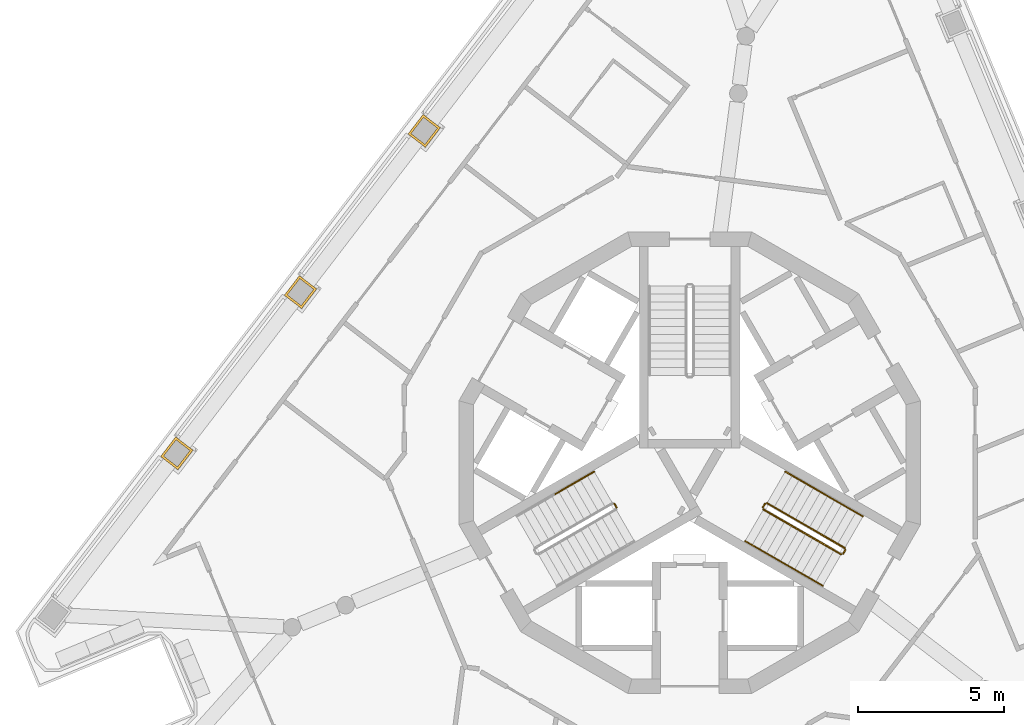
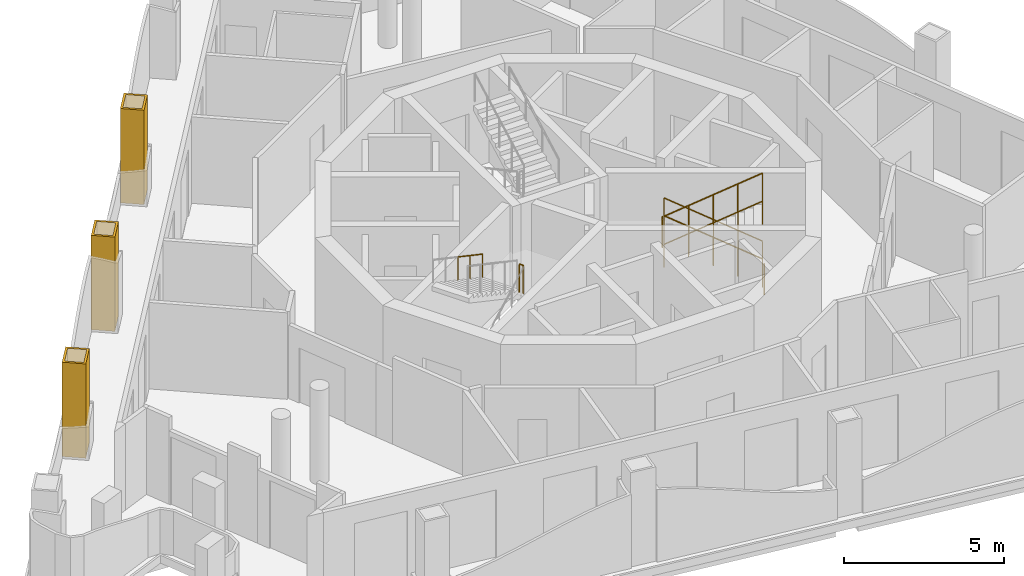
# One storey, part 8 of 12: 10 railings, 3 coverings.
"""IFC4 building model written with IfcOpenShell, lengths in metres."""

from ifc_helpers import new_model, si_unit, direction, frame, origin, origin_2d, place, context, subcontext, project, spatial, polyline, circle, outline, extrude, material, layer, layer_set, type_object, element, save


model = new_model("IFC4")

# Units and contexts
model_context = context("Model", 3, precision=1e-05, world=origin(), true_north=direction((0.0, 1.0)))
body_context = subcontext(model_context, "Body", "Model", "MODEL_VIEW")
ifc_project = project(units=[si_unit("LENGTHUNIT", "METRE"), si_unit("AREAUNIT", "SQUARE_METRE"), si_unit("VOLUMEUNIT", "CUBIC_METRE"), si_unit("PLANEANGLEUNIT", "RADIAN"), si_unit("MASSUNIT", "GRAM", prefix="KILO")], contexts=[model_context])

# Site, building, storey
site_placement = place(None, origin())
site = spatial("IfcSite", under=ifc_project, at=site_placement, CompositionType="ELEMENT")
building_placement = place(site_placement, origin())
building = spatial("IfcBuilding", under=site, at=building_placement, Name="Trine Commons Tower", CompositionType="ELEMENT")
storey_placement = place(building_placement, frame((0.0, 0.0, 289.800048828125)))
storey = spatial("IfcBuildingStorey", under=building, at=storey_placement, Name="L76", CompositionType="ELEMENT", Elevation=289.800048828125)

# Coverings
ifc_material_1 = material(Name="Limestone, honed", Category="masonry")
ifc_layer = layer(ifc_material_1, 0.074951171875)
ifc_layer_set = layer_set([ifc_layer], Name="Limestone, honed")
covering_type = type_object("IfcCoveringType", Name="Limestone column cladding 75", PredefinedType="CLADDING", material=ifc_layer_set)
covering_1_placement = place(storey_placement, origin())
element("IfcCovering", 1, at=covering_1_placement, inside=storey, type_object=covering_type, Name="Limestone pier cladding 8-08", PredefinedType="CLADDING", context=body_context, shape_type="SweptSolid", body=[
    extrude(outline(polyline([(62.95751953125, 62.929443359375), (62.362548828125, 63.385986328125), (61.84521484375, 62.711669921875), (62.440185546875, 62.2548828125), (62.95751953125, 62.929443359375)]), holes=[polyline([(62.8525390625, 62.91552734375), (62.37646484375, 63.28076171875), (61.9501953125, 62.7255859375), (62.42626953125, 62.360107421875), (62.8525390625, 62.91552734375)])]), origin(), (0.0, 0.0, 1.0), 3.599853515625),
])
covering_2_placement = place(storey_placement, origin())
element("IfcCovering", 2, at=covering_2_placement, inside=storey, type_object=covering_type, Name="Limestone pier cladding 8-09", PredefinedType="CLADDING", context=body_context, shape_type="SweptSolid", body=[
    extrude(outline(polyline([(67.202392578125, 68.461181640625), (66.607421875, 68.91796875), (66.08984375, 68.243408203125), (66.684814453125, 67.786865234375), (67.202392578125, 68.461181640625)]), holes=[polyline([(67.09716796875, 68.447509765625), (66.62109375, 68.812744140625), (66.195068359375, 68.25732421875), (66.6708984375, 67.89208984375), (67.09716796875, 68.447509765625)])]), origin(), (0.0, 0.0, 1.0), 3.599853515625),
])
covering_3_placement = place(storey_placement, origin())
element("IfcCovering", 3, at=covering_3_placement, inside=storey, type_object=covering_type, Name="Limestone pier cladding 8-10", PredefinedType="CLADDING", context=body_context, shape_type="SweptSolid", body=[
    extrude(outline(polyline([(71.447021484375, 73.9931640625), (70.85205078125, 74.44970703125), (70.334716796875, 73.775390625), (70.9296875, 73.318603515625), (71.447021484375, 73.9931640625)]), holes=[polyline([(71.341796875, 73.979248046875), (70.865966796875, 74.344482421875), (70.439697265625, 73.789306640625), (70.915771484375, 73.423828125), (71.341796875, 73.979248046875)])]), origin(), (0.0, 0.0, 1.0), 3.599853515625),
])

# Railings
ifc_material_2 = material(Name="Stainless steel balustrade", Category="steel")
railing_type_1 = type_object("IfcRailingType", Name="Stair guard, steel balustrade 1100", PredefinedType="GUARDRAIL", material=ifc_material_2)
railing_1_placement = place(storey_placement, frame((77.490966796875, 60.96484375, 1.800048828125)))
element("IfcRailing", 4, at=railing_1_placement, inside=storey, type_object=railing_type_1, Name="L76 ST2D stair guard 2", PredefinedType="GUARDRAIL", context=body_context, shape_type="SweptSolid", body=[
    extrude(circle(Radius=0.02392578125, at=origin_2d()), frame((0.0, 0.0, 1.076171875), z_axis=(-0.501036270542, 0.865426285481, 0.0), x_axis=(-0.865426285481, -0.501036270542, 0.0)), (0.0, 0.0, 1.0), 0.150146484375),
    extrude(circle(Radius=0.02099609375, at=origin_2d()), origin(), (0.0, 0.0, 1.0), 1.052001953125),
    extrude(circle(Radius=0.02099609375, at=origin_2d()), frame((-0.0751953125, 0.1298828125, 0.0)), (0.0, 0.0, 1.0), 1.052001953125),
])
railing_2_placement = place(storey_placement, frame((85.31982421875, 59.572998046875, 0.14990234375)))
element("IfcRailing", 5, at=railing_2_placement, inside=storey, type_object=railing_type_1, Name="L76 ST3D stair guard 1", PredefinedType="GUARDRAIL", context=body_context, shape_type="SweptSolid", body=[
    extrude(circle(Radius=0.02392578125, at=origin_2d()), frame((0.0, 0.0, 1.076171875), z_axis=(-0.763379768245, 0.440728498818, 0.472239049384), x_axis=(-0.499992328818, -0.866029832698, 0.0)), (0.0, 0.0, 1.0), 3.494384765625),
    extrude(circle(Radius=0.02099609375, at=origin_2d()), origin(), (0.0, 0.0, 1.0), 1.052001953125),
    extrude(circle(Radius=0.02099609375, at=origin_2d()), frame((-0.6669921875, 0.385009765625, 0.41259765625)), (0.0, 0.0, 1.0), 1.052001953125),
    extrude(circle(Radius=0.02099609375, at=origin_2d()), frame((-1.333740234375, 0.77001953125, 0.8251953125)), (0.0, 0.0, 1.0), 1.052001953125),
    extrude(circle(Radius=0.02099609375, at=origin_2d()), frame((-2.00048828125, 1.155029296875, 1.237548828125)), (0.0, 0.0, 1.0), 1.052001953125),
    extrude(circle(Radius=0.02099609375, at=origin_2d()), frame((-2.66748046875, 1.5400390625, 1.650146484375)), (0.0, 0.0, 1.0), 1.052001953125),
])
railing_3_placement = place(storey_placement, frame((82.584228515625, 61.0947265625, 1.800048828125)))
element("IfcRailing", 6, at=railing_3_placement, inside=storey, type_object=railing_type_1, Name="L76 ST3D stair guard 2", PredefinedType="GUARDRAIL", context=body_context, shape_type="SweptSolid", body=[
    extrude(circle(Radius=0.02392578125, at=origin_2d()), frame((0.0, 0.0, 1.076171875), z_axis=(-0.501036270542, -0.865426285481, 0.0), x_axis=(0.865426285481, -0.501036270542, 0.0)), (0.0, 0.0, 1.0), 0.150146484375),
    extrude(circle(Radius=0.02099609375, at=origin_2d()), origin(), (0.0, 0.0, 1.0), 1.052001953125),
    extrude(circle(Radius=0.02099609375, at=origin_2d()), frame((-0.0751953125, -0.1298828125, 0.0)), (0.0, 0.0, 1.0), 1.052001953125),
])
railing_4_placement = place(storey_placement, frame((82.52734375, 60.896484375, 1.949951171875)))
element("IfcRailing", 7, at=railing_4_placement, inside=storey, type_object=railing_type_1, Name="L76 ST3D stair guard 3", PredefinedType="GUARDRAIL", context=body_context, shape_type="SweptSolid", body=[
    extrude(circle(Radius=0.02392578125, at=origin_2d()), frame((0.0, 0.0, 1.076171875), z_axis=(0.76340495495, -0.440743040072, 0.472184759798), x_axis=(0.499992328818, 0.866029832698, 0.0)), (0.0, 0.0, 1.0), 3.494140625),
    extrude(circle(Radius=0.02099609375, at=origin_2d()), origin(), (0.0, 0.0, 1.0), 1.052001953125),
    extrude(circle(Radius=0.02099609375, at=origin_2d()), frame((0.6669921875, -0.385009765625, 0.41259765625)), (0.0, 0.0, 1.0), 1.052001953125),
    extrude(circle(Radius=0.02099609375, at=origin_2d()), frame((1.333740234375, -0.77001953125, 0.824951171875)), (0.0, 0.0, 1.0), 1.052001953125),
    extrude(circle(Radius=0.02099609375, at=origin_2d()), frame((2.00048828125, -1.155029296875, 1.2373046875)), (0.0, 0.0, 1.0), 1.052001953125),
    extrude(circle(Radius=0.02099609375, at=origin_2d()), frame((2.66748046875, -1.5400390625, 1.64990234375)), (0.0, 0.0, 1.0), 1.052001953125),
])
railing_5_placement = place(storey_placement, frame((85.338134765625, 59.504638671875, 0.0)))
element("IfcRailing", 8, at=railing_5_placement, inside=storey, type_object=railing_type_1, Name="L76 ST3D stair guard 4", PredefinedType="GUARDRAIL", context=body_context, shape_type="SweptSolid", body=[
    extrude(circle(Radius=0.02392578125, at=origin_2d()), frame((0.0, 0.0, 1.076171875), z_axis=(-0.499816412211, -0.866131372301, 0.0), x_axis=(0.866131372301, -0.499816412211, 0.0)), (0.0, 0.0, 1.0), 0.14990234375),
    extrude(circle(Radius=0.02099609375, at=origin_2d()), origin(), (0.0, 0.0, 1.0), 1.052001953125),
    extrude(circle(Radius=0.02099609375, at=origin_2d()), frame((-0.074951171875, -0.1298828125, 0.0)), (0.0, 0.0, 1.0), 1.052001953125),
])
ifc_material_3 = material(Name="Stainless steel handrail", Category="steel")
railing_type_2 = type_object("IfcRailingType", Name="Stair handrail, steel 900", PredefinedType="HANDRAIL", material=ifc_material_3)
railing_6_placement = place(storey_placement, frame((76.72265625, 62.195556640625, 1.949951171875)))
element("IfcRailing", 9, at=railing_6_placement, inside=storey, type_object=railing_type_2, Name="L76 ST2D stair handrail 3", PredefinedType="HANDRAIL", context=body_context, shape_type="SweptSolid", body=[
    extrude(circle(Radius=0.02099609375, at=origin_2d()), frame((0.0, 0.0, 0.87890625), z_axis=(-0.76340495495, -0.440743040072, 0.472184759798), x_axis=(0.499992328818, -0.866029832698, 0.0)), (0.0, 0.0, 1.0), 1.7470703125),
    extrude(circle(Radius=0.01513671875, at=origin_2d()), origin(), (0.0, 0.0, 1.0), 0.85791015625),
    extrude(circle(Radius=0.01513671875, at=origin_2d()), frame((-0.6669921875, -0.385009765625, 0.41259765625)), (0.0, 0.0, 1.0), 0.85791015625),
    extrude(circle(Radius=0.01513671875, at=origin_2d()), frame((-1.333740234375, -0.77001953125, 0.824951171875)), (0.0, 0.0, 1.0), 0.85791015625),
])
railing_7_placement = place(storey_placement, frame((85.94482421875, 60.655517578125, 0.14990234375)))
element("IfcRailing", 10, at=railing_7_placement, inside=storey, type_object=railing_type_2, Name="L76 ST3D stair handrail 1", PredefinedType="HANDRAIL", context=body_context, shape_type="SweptSolid", body=[
    extrude(circle(Radius=0.02099609375, at=origin_2d()), frame((0.0, 0.0, 0.87890625), z_axis=(-0.76340495495, 0.440743040072, 0.472184759798), x_axis=(-0.499992328818, -0.866029832698, 0.0)), (0.0, 0.0, 1.0), 1.7470703125),
    extrude(circle(Radius=0.01513671875, at=origin_2d()), origin(), (0.0, 0.0, 1.0), 0.85791015625),
    extrude(circle(Radius=0.01513671875, at=origin_2d()), frame((-0.6669921875, 0.385009765625, 0.41259765625)), (0.0, 0.0, 1.0), 0.85791015625),
    extrude(circle(Radius=0.01513671875, at=origin_2d()), frame((-1.333740234375, 0.77001953125, 0.824951171875)), (0.0, 0.0, 1.0), 0.85791015625),
])
railing_8_placement = place(storey_placement, frame((84.611083984375, 61.425537109375, 0.974853515625)))
element("IfcRailing", 11, at=railing_8_placement, inside=storey, type_object=railing_type_2, Name="L76 ST3D stair handrail 2", PredefinedType="HANDRAIL", context=body_context, shape_type="SweptSolid", body=[
    extrude(circle(Radius=0.02099609375, at=origin_2d()), frame((0.0, 0.0, 0.87890625), z_axis=(-0.763354580307, 0.440713956853, 0.472293333596), x_axis=(-0.499992328818, -0.866029832698, 0.0)), (0.0, 0.0, 1.0), 1.747314453125),
    extrude(circle(Radius=0.01513671875, at=origin_2d()), origin(), (0.0, 0.0, 1.0), 0.85791015625),
    extrude(circle(Radius=0.01513671875, at=origin_2d()), frame((-0.6669921875, 0.385009765625, 0.41259765625)), (0.0, 0.0, 1.0), 0.85791015625),
    extrude(circle(Radius=0.01513671875, at=origin_2d()), frame((-1.333740234375, 0.77001953125, 0.8251953125)), (0.0, 0.0, 1.0), 0.85791015625),
])
for number, where, name in (
    (12, (81.90234375, 59.81396484375, 1.949951171875), "L76 ST3D stair handrail 3"),
    (13, (83.236083984375, 59.0439453125, 2.77490234375), "L76 ST3D stair handrail 4"),
):
    element("IfcRailing", number, at=place(storey_placement, frame(where)), inside=storey, type_object=railing_type_2, Name=name, PredefinedType="HANDRAIL", context=body_context, shape_type="SweptSolid", body=[
        extrude(circle(Radius=0.02099609375, at=origin_2d()), frame((0.0, 0.0, 0.87890625), z_axis=(0.76340495495, -0.440743040072, 0.472184759798), x_axis=(0.499992328818, 0.866029832698, 0.0)), (0.0, 0.0, 1.0), 1.7470703125),
        extrude(circle(Radius=0.01513671875, at=origin_2d()), origin(), (0.0, 0.0, 1.0), 0.85791015625),
        extrude(circle(Radius=0.01513671875, at=origin_2d()), frame((0.6669921875, -0.385009765625, 0.41259765625)), (0.0, 0.0, 1.0), 0.85791015625),
        extrude(circle(Radius=0.01513671875, at=origin_2d()), frame((1.333740234375, -0.77001953125, 0.824951171875)), (0.0, 0.0, 1.0), 0.85791015625),
    ])

save(model, "model.ifc")
